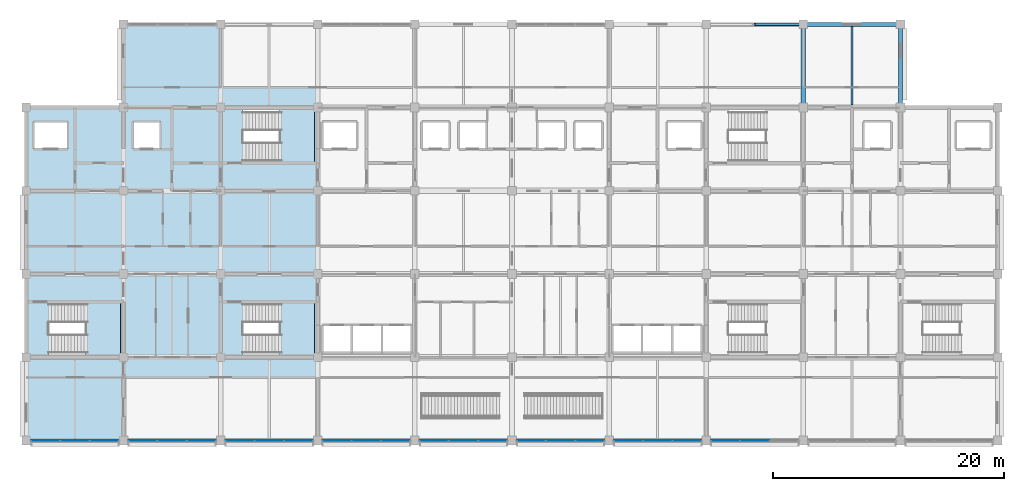
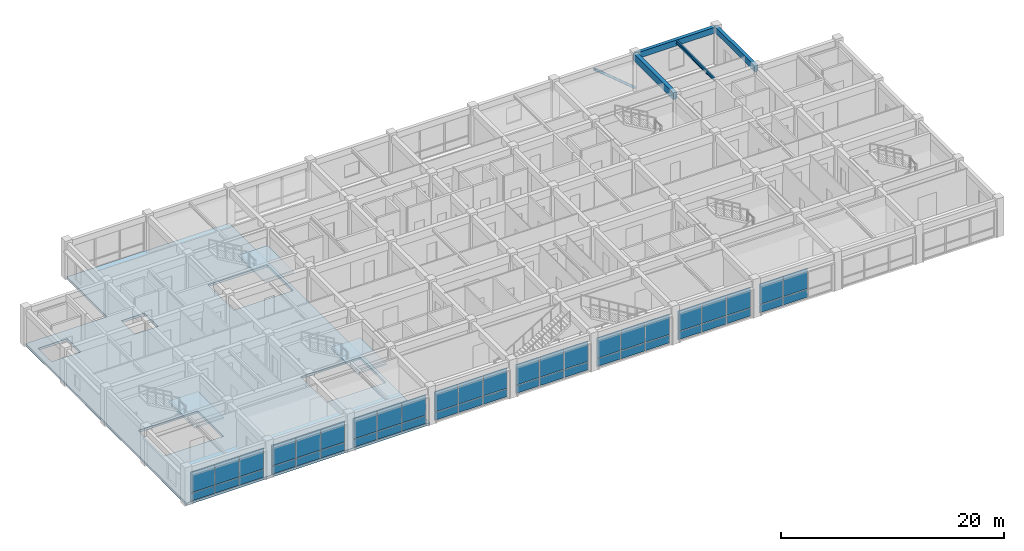
# One storey, part 10 of 27: 46 plates, 4 beams, 4 slabs, 1 member, 11 elements without a shape of their own.
"""IFC4 building model written with IfcOpenShell, lengths in metres."""

from ifc_helpers import new_model, si_unit, direction, frame, origin, origin_2d, place, context, subcontext, project, spatial, polyline, rectangle, hollow_circle, i_section, outline, extrude, material, layer, layer_set, material_profile, profile_set, type_object, element, aggregate, save


model = new_model("IFC4")

# Units and contexts
model_context = context("Model", 3, precision=1e-05, world=origin(), true_north=direction((0.0, 1.0)))
body_context = subcontext(model_context, "Body", "Model", "MODEL_VIEW")
ifc_project = project(units=[si_unit("LENGTHUNIT", "METRE"), si_unit("AREAUNIT", "SQUARE_METRE"), si_unit("VOLUMEUNIT", "CUBIC_METRE"), si_unit("PLANEANGLEUNIT", "RADIAN"), si_unit("MASSUNIT", "GRAM", prefix="KILO")], contexts=[model_context])

# Site, building, storey
site_placement = place(None, origin())
site = spatial("IfcSite", under=ifc_project, at=site_placement, CompositionType="ELEMENT")
building_placement = place(site_placement, origin())
building = spatial("IfcBuilding", under=site, at=building_placement, Name="Chengyuan Square Courthouse", CompositionType="ELEMENT")
storey_placement = place(building_placement, frame((0.0, 0.0, 39.300048828125)))
storey = spatial("IfcBuildingStorey", under=building, at=storey_placement, Name="L09", CompositionType="ELEMENT", Elevation=39.300048828125)

# Beams
ifc_material_1 = material(Name="Concrete C40", Category="concrete")
ifc_material_profile_1 = material_profile(ifc_material_1, rectangle(XDim=0.39990234375, YDim=0.75, at=origin_2d()), Name="RC-BM-400x750")
ifc_profile_set_1 = profile_set([ifc_material_profile_1], Name="Concrete C40")
beam_type_1 = type_object("IfcBeamType", Name="BM-02", PredefinedType="USERDEFINED", material=ifc_profile_set_1)
beam_1_placement = place(storey_placement, frame((109.199951171875, 108.0, 3.574951171875), z_axis=(0.0, 1.0, 0.0), x_axis=(-1.0, 0.0, 0.0)))
element("IfcBeam", 1, at=beam_1_placement, inside=storey, type_object=beam_type_1, Name="Girder BM-L09-3998", ObjectType="GIRDER", PredefinedType="USERDEFINED", context=body_context, shape_type="SweptSolid", body=[
    extrude(rectangle(XDim=0.39990234375, YDim=0.75, at=origin_2d()), origin(), (0.0, 0.0, 1.0), 7.199951171875),
])
ifc_material_profile_2 = material_profile(ifc_material_1, rectangle(XDim=0.35009765625, YDim=0.64990234375, at=origin_2d()), Name="RC-BM-350x650")
ifc_profile_set_2 = profile_set([ifc_material_profile_2], Name="Concrete C40")
beam_type_2 = type_object("IfcBeamType", Name="BM-03", PredefinedType="SPANDREL", material=ifc_profile_set_2)
beam_2_placement = place(storey_placement, frame((109.199951171875, 115.199951171875, 3.625), z_axis=(1.0, 0.0, 0.0), x_axis=(0.0, 1.0, 0.0)))
element("IfcBeam", 2, at=beam_2_placement, inside=storey, type_object=beam_type_2, Name="Girder BM-L09-3954", PredefinedType="SPANDREL", context=body_context, shape_type="SweptSolid", body=[
    extrude(rectangle(XDim=0.35009765625, YDim=0.64990234375, at=origin_2d()), origin(), (0.0, 0.0, 1.0), 8.400146484375),
])
beam_3_placement = place(storey_placement, frame((117.60009765625, 108.0, 3.625), z_axis=(0.0, 1.0, 0.0), x_axis=(-1.0, 0.0, 0.0)))
element("IfcBeam", 3, at=beam_3_placement, inside=storey, type_object=beam_type_2, Name="Girder BM-L09-4003", PredefinedType="SPANDREL", context=body_context, shape_type="SweptSolid", body=[
    extrude(rectangle(XDim=0.35009765625, YDim=0.64990234375, at=origin_2d()), origin(), (0.0, 0.0, 1.0), 7.199951171875),
])
ifc_material_2 = material(Name="Steel Q355B", Category="steel")
ifc_material_profile_3 = material_profile(ifc_material_2, i_section(OverallWidth=0.175048828125, OverallDepth=0.35009765625, WebThickness=0.007080078125, FlangeThickness=0.010986328125, at=origin_2d()), Name="HN 350x175x7x11")
ifc_profile_set_3 = profile_set([ifc_material_profile_3], Name="Steel Q355B")
beam_type_3 = type_object("IfcBeamType", Name="BM-08", PredefinedType="BEAM", material=ifc_profile_set_3)
beam_4_placement = place(storey_placement, frame((113.39990234375, 108.22509765625, 3.77490234375), z_axis=(0.0, 1.0, 0.0), x_axis=(-1.0, 0.0, 0.0)))
element("IfcBeam", 4, at=beam_4_placement, inside=storey, type_object=beam_type_3, Name="Secondary Floor Beam SBM-L09-4024", PredefinedType="BEAM", context=body_context, shape_type="SweptSolid", body=[
    extrude(i_section(OverallWidth=0.175048828125, OverallDepth=0.35009765625, WebThickness=0.007080078125, FlangeThickness=0.010986328125, at=origin_2d()), origin(), (0.0, 0.0, 1.0), 6.7998046875),
])

# Member
ifc_material_profile_4 = material_profile(ifc_material_2, hollow_circle(Radius=0.136474609375, WallThickness=0.010009765625, at=origin_2d()), Name="CHS 273x10")
ifc_profile_set_4 = profile_set([ifc_material_profile_4], Name="Steel Q355B")
member_type = type_object("IfcMemberType", Name="BR-01", PredefinedType="BRACE", material=ifc_profile_set_4)
member_placement = place(storey_placement, frame((109.199951171875, 115.199951171875, 0.099853515625), z_axis=(-0.768217619255, 0.0, 0.64018879205), x_axis=(0.0, -1.0, 0.0)))
element("IfcMember", 5, at=member_placement, inside=storey, type_object=member_type, Name="Steel Chevron Brace BR-L09-036", PredefinedType="BRACE", context=body_context, shape_type="SweptSolid", body=[
    extrude(hollow_circle(Radius=0.136474609375, WallThickness=0.010009765625, at=origin_2d()), origin(), (0.0, 0.0, 1.0), 5.467041015625),
])

# Curtain wall, plates
ifc_material_3 = material(Name="Unitised Aluminium and Triple Low-E Glass", Category="aluminium")
ifc_layer_1 = layer(ifc_material_3, 0.159912109375)
ifc_layer_set_1 = layer_set([ifc_layer_1], Name="Unitised Aluminium and Triple Low-E Glass")
curtain_wall_type = type_object("IfcCurtainWallType", Name="CW-01", PredefinedType="USERDEFINED", material=ifc_layer_set_1)
curtain_wall_1_placement = place(storey_placement, origin())
curtain_wall_1 = element("IfcCurtainWall", 6, at=curtain_wall_1_placement, inside=storey, type_object=curtain_wall_type, Name="Unitised Curtain Wall CW-L09-234", ObjectType="UNITISED CURTAIN WALL", PredefinedType="USERDEFINED")
ifc_material_4 = material(Name="Triple Low-E Insulating Glass", Category="glass")
ifc_layer_2 = layer(ifc_material_4, 0.02392578125)
ifc_layer_set_2 = layer_set([ifc_layer_2], Name="Triple Low-E Insulating Glass")
plate_type = type_object("IfcPlateType", Name="CWP-01", PredefinedType="CURTAIN_PANEL", material=ifc_layer_set_2)
plate_1_placement = place(storey_placement, frame((43.6650390625, 79.199951171875, 0.06005859375), z_axis=(0.0, 0.0, 1.0), x_axis=(1.0, 0.0, 0.0)))
plate_1 = element("IfcPlate", 7, at=plate_1_placement, type_object=plate_type, Name="CW-01 panel 1.1", PredefinedType="CURTAIN_PANEL", context=body_context, shape_type="SweptSolid", body=[
    extrude(rectangle(XDim=2.4599609375, YDim=0.02392578125, at=origin_2d()), origin(), (0.0, 0.0, 1.0), 0.860107421875),
])
plate_2_placement = place(storey_placement, frame((43.6650390625, 79.199951171875, 0.97998046875), z_axis=(0.0, 0.0, 1.0), x_axis=(1.0, 0.0, 0.0)))
plate_2 = element("IfcPlate", 8, at=plate_2_placement, type_object=plate_type, Name="CW-01 panel 1.2", PredefinedType="CURTAIN_PANEL", context=body_context, shape_type="SweptSolid", body=[
    extrude(rectangle(XDim=2.4599609375, YDim=0.02392578125, at=origin_2d()), origin(), (0.0, 0.0, 1.0), 2.260009765625),
])
plate_3_placement = place(storey_placement, frame((46.199951171875, 79.199951171875, 0.06005859375), z_axis=(0.0, 0.0, 1.0), x_axis=(1.0, 0.0, 0.0)))
plate_3 = element("IfcPlate", 9, at=plate_3_placement, type_object=plate_type, Name="CW-01 panel 2.1", PredefinedType="CURTAIN_PANEL", context=body_context, shape_type="SweptSolid", body=[
    extrude(rectangle(XDim=2.489990234375, YDim=0.02392578125, at=origin_2d()), origin(), (0.0, 0.0, 1.0), 0.860107421875),
])
plate_4_placement = place(storey_placement, frame((46.199951171875, 79.199951171875, 0.97998046875), z_axis=(0.0, 0.0, 1.0), x_axis=(1.0, 0.0, 0.0)))
plate_4 = element("IfcPlate", 10, at=plate_4_placement, type_object=plate_type, Name="CW-01 panel 2.2", PredefinedType="CURTAIN_PANEL", context=body_context, shape_type="SweptSolid", body=[
    extrude(rectangle(XDim=2.489990234375, YDim=0.02392578125, at=origin_2d()), origin(), (0.0, 0.0, 1.0), 2.260009765625),
])
plate_5_placement = place(storey_placement, frame((48.735107421875, 79.199951171875, 0.06005859375), z_axis=(0.0, 0.0, 1.0), x_axis=(1.0, 0.0, 0.0)))
plate_5 = element("IfcPlate", 11, at=plate_5_placement, type_object=plate_type, Name="CW-01 panel 3.1", PredefinedType="CURTAIN_PANEL", context=body_context, shape_type="SweptSolid", body=[
    extrude(rectangle(XDim=2.4599609375, YDim=0.02392578125, at=origin_2d()), origin(), (0.0, 0.0, 1.0), 0.860107421875),
])
plate_6_placement = place(storey_placement, frame((48.735107421875, 79.199951171875, 0.97998046875), z_axis=(0.0, 0.0, 1.0), x_axis=(1.0, 0.0, 0.0)))
plate_6 = element("IfcPlate", 12, at=plate_6_placement, type_object=plate_type, Name="CW-01 panel 3.2", PredefinedType="CURTAIN_PANEL", context=body_context, shape_type="SweptSolid", body=[
    extrude(rectangle(XDim=2.4599609375, YDim=0.02392578125, at=origin_2d()), origin(), (0.0, 0.0, 1.0), 2.260009765625),
])
aggregate(curtain_wall_1, [plate_1, plate_2, plate_3, plate_4, plate_5, plate_6])

curtain_wall_2_placement = place(storey_placement, origin())
curtain_wall_2 = element("IfcCurtainWall", 13, at=curtain_wall_2_placement, inside=storey, type_object=curtain_wall_type, Name="Unitised Curtain Wall CW-L09-235", ObjectType="UNITISED CURTAIN WALL", PredefinedType="USERDEFINED")
plate_7_placement = place(storey_placement, frame((52.06494140625, 79.199951171875, 0.06005859375), z_axis=(0.0, 0.0, 1.0), x_axis=(1.0, 0.0, 0.0)))
plate_7 = element("IfcPlate", 14, at=plate_7_placement, type_object=plate_type, Name="CW-01 panel 1.1", PredefinedType="CURTAIN_PANEL", context=body_context, shape_type="SweptSolid", body=[
    extrude(rectangle(XDim=2.4599609375, YDim=0.02392578125, at=origin_2d()), origin(), (0.0, 0.0, 1.0), 0.860107421875),
])
plate_8_placement = place(storey_placement, frame((52.06494140625, 79.199951171875, 0.97998046875), z_axis=(0.0, 0.0, 1.0), x_axis=(1.0, 0.0, 0.0)))
plate_8 = element("IfcPlate", 15, at=plate_8_placement, type_object=plate_type, Name="CW-01 panel 1.2", PredefinedType="CURTAIN_PANEL", context=body_context, shape_type="SweptSolid", body=[
    extrude(rectangle(XDim=2.4599609375, YDim=0.02392578125, at=origin_2d()), origin(), (0.0, 0.0, 1.0), 2.260009765625),
])
plate_9_placement = place(storey_placement, frame((54.60009765625, 79.199951171875, 0.06005859375), z_axis=(0.0, 0.0, 1.0), x_axis=(1.0, 0.0, 0.0)))
plate_9 = element("IfcPlate", 16, at=plate_9_placement, type_object=plate_type, Name="CW-01 panel 2.1", PredefinedType="CURTAIN_PANEL", context=body_context, shape_type="SweptSolid", body=[
    extrude(rectangle(XDim=2.489990234375, YDim=0.02392578125, at=origin_2d()), origin(), (0.0, 0.0, 1.0), 0.860107421875),
])
plate_10_placement = place(storey_placement, frame((54.60009765625, 79.199951171875, 0.97998046875), z_axis=(0.0, 0.0, 1.0), x_axis=(1.0, 0.0, 0.0)))
plate_10 = element("IfcPlate", 17, at=plate_10_placement, type_object=plate_type, Name="CW-01 panel 2.2", PredefinedType="CURTAIN_PANEL", context=body_context, shape_type="SweptSolid", body=[
    extrude(rectangle(XDim=2.489990234375, YDim=0.02392578125, at=origin_2d()), origin(), (0.0, 0.0, 1.0), 2.260009765625),
])
plate_11_placement = place(storey_placement, frame((57.135009765625, 79.199951171875, 0.06005859375), z_axis=(0.0, 0.0, 1.0), x_axis=(1.0, 0.0, 0.0)))
plate_11 = element("IfcPlate", 18, at=plate_11_placement, type_object=plate_type, Name="CW-01 panel 3.1", PredefinedType="CURTAIN_PANEL", context=body_context, shape_type="SweptSolid", body=[
    extrude(rectangle(XDim=2.4599609375, YDim=0.02392578125, at=origin_2d()), origin(), (0.0, 0.0, 1.0), 0.860107421875),
])
plate_12_placement = place(storey_placement, frame((57.135009765625, 79.199951171875, 0.97998046875), z_axis=(0.0, 0.0, 1.0), x_axis=(1.0, 0.0, 0.0)))
plate_12 = element("IfcPlate", 19, at=plate_12_placement, type_object=plate_type, Name="CW-01 panel 3.2", PredefinedType="CURTAIN_PANEL", context=body_context, shape_type="SweptSolid", body=[
    extrude(rectangle(XDim=2.4599609375, YDim=0.02392578125, at=origin_2d()), origin(), (0.0, 0.0, 1.0), 2.260009765625),
])
aggregate(curtain_wall_2, [plate_7, plate_8, plate_9, plate_10, plate_11, plate_12])

curtain_wall_3_placement = place(storey_placement, origin())
curtain_wall_3 = element("IfcCurtainWall", 20, at=curtain_wall_3_placement, inside=storey, type_object=curtain_wall_type, Name="Unitised Curtain Wall CW-L09-237", ObjectType="UNITISED CURTAIN WALL", PredefinedType="USERDEFINED")
plate_13_placement = place(storey_placement, frame((60.465087890625, 79.199951171875, 0.06005859375), z_axis=(0.0, 0.0, 1.0), x_axis=(1.0, 0.0, 0.0)))
plate_13 = element("IfcPlate", 21, at=plate_13_placement, type_object=plate_type, Name="CW-01 panel 1.1", PredefinedType="CURTAIN_PANEL", context=body_context, shape_type="SweptSolid", body=[
    extrude(rectangle(XDim=2.4599609375, YDim=0.02392578125, at=origin_2d()), origin(), (0.0, 0.0, 1.0), 0.860107421875),
])
plate_14_placement = place(storey_placement, frame((60.465087890625, 79.199951171875, 0.97998046875), z_axis=(0.0, 0.0, 1.0), x_axis=(1.0, 0.0, 0.0)))
plate_14 = element("IfcPlate", 22, at=plate_14_placement, type_object=plate_type, Name="CW-01 panel 1.2", PredefinedType="CURTAIN_PANEL", context=body_context, shape_type="SweptSolid", body=[
    extrude(rectangle(XDim=2.4599609375, YDim=0.02392578125, at=origin_2d()), origin(), (0.0, 0.0, 1.0), 2.260009765625),
])
plate_15_placement = place(storey_placement, frame((63.0, 79.199951171875, 0.06005859375), z_axis=(0.0, 0.0, 1.0), x_axis=(1.0, 0.0, 0.0)))
plate_15 = element("IfcPlate", 23, at=plate_15_placement, type_object=plate_type, Name="CW-01 panel 2.1", PredefinedType="CURTAIN_PANEL", context=body_context, shape_type="SweptSolid", body=[
    extrude(rectangle(XDim=2.489990234375, YDim=0.02392578125, at=origin_2d()), origin(), (0.0, 0.0, 1.0), 0.860107421875),
])
plate_16_placement = place(storey_placement, frame((63.0, 79.199951171875, 0.97998046875), z_axis=(0.0, 0.0, 1.0), x_axis=(1.0, 0.0, 0.0)))
plate_16 = element("IfcPlate", 24, at=plate_16_placement, type_object=plate_type, Name="CW-01 panel 2.2", PredefinedType="CURTAIN_PANEL", context=body_context, shape_type="SweptSolid", body=[
    extrude(rectangle(XDim=2.489990234375, YDim=0.02392578125, at=origin_2d()), origin(), (0.0, 0.0, 1.0), 2.260009765625),
])
plate_17_placement = place(storey_placement, frame((65.534912109375, 79.199951171875, 0.06005859375), z_axis=(0.0, 0.0, 1.0), x_axis=(1.0, 0.0, 0.0)))
plate_17 = element("IfcPlate", 25, at=plate_17_placement, type_object=plate_type, Name="CW-01 panel 3.1", PredefinedType="CURTAIN_PANEL", context=body_context, shape_type="SweptSolid", body=[
    extrude(rectangle(XDim=2.4599609375, YDim=0.02392578125, at=origin_2d()), origin(), (0.0, 0.0, 1.0), 0.860107421875),
])
plate_18_placement = place(storey_placement, frame((65.534912109375, 79.199951171875, 0.97998046875), z_axis=(0.0, 0.0, 1.0), x_axis=(1.0, 0.0, 0.0)))
plate_18 = element("IfcPlate", 26, at=plate_18_placement, type_object=plate_type, Name="CW-01 panel 3.2", PredefinedType="CURTAIN_PANEL", context=body_context, shape_type="SweptSolid", body=[
    extrude(rectangle(XDim=2.4599609375, YDim=0.02392578125, at=origin_2d()), origin(), (0.0, 0.0, 1.0), 2.260009765625),
])
aggregate(curtain_wall_3, [plate_13, plate_14, plate_15, plate_16, plate_17, plate_18])

curtain_wall_4_placement = place(storey_placement, origin())
curtain_wall_4 = element("IfcCurtainWall", 27, at=curtain_wall_4_placement, inside=storey, type_object=curtain_wall_type, Name="Unitised Curtain Wall CW-L09-238", ObjectType="UNITISED CURTAIN WALL", PredefinedType="USERDEFINED")
plate_19_placement = place(storey_placement, frame((68.864990234375, 79.199951171875, 0.06005859375), z_axis=(0.0, 0.0, 1.0), x_axis=(1.0, 0.0, 0.0)))
plate_19 = element("IfcPlate", 28, at=plate_19_placement, type_object=plate_type, Name="CW-01 panel 1.1", PredefinedType="CURTAIN_PANEL", context=body_context, shape_type="SweptSolid", body=[
    extrude(rectangle(XDim=2.4599609375, YDim=0.02392578125, at=origin_2d()), origin(), (0.0, 0.0, 1.0), 0.860107421875),
])
plate_20_placement = place(storey_placement, frame((68.864990234375, 79.199951171875, 0.97998046875), z_axis=(0.0, 0.0, 1.0), x_axis=(1.0, 0.0, 0.0)))
plate_20 = element("IfcPlate", 29, at=plate_20_placement, type_object=plate_type, Name="CW-01 panel 1.2", PredefinedType="CURTAIN_PANEL", context=body_context, shape_type="SweptSolid", body=[
    extrude(rectangle(XDim=2.4599609375, YDim=0.02392578125, at=origin_2d()), origin(), (0.0, 0.0, 1.0), 2.260009765625),
])
plate_21_placement = place(storey_placement, frame((71.39990234375, 79.199951171875, 0.06005859375), z_axis=(0.0, 0.0, 1.0), x_axis=(1.0, 0.0, 0.0)))
plate_21 = element("IfcPlate", 30, at=plate_21_placement, type_object=plate_type, Name="CW-01 panel 2.1", PredefinedType="CURTAIN_PANEL", context=body_context, shape_type="SweptSolid", body=[
    extrude(rectangle(XDim=2.489990234375, YDim=0.02392578125, at=origin_2d()), origin(), (0.0, 0.0, 1.0), 0.860107421875),
])
plate_22_placement = place(storey_placement, frame((71.39990234375, 79.199951171875, 0.97998046875), z_axis=(0.0, 0.0, 1.0), x_axis=(1.0, 0.0, 0.0)))
plate_22 = element("IfcPlate", 31, at=plate_22_placement, type_object=plate_type, Name="CW-01 panel 2.2", PredefinedType="CURTAIN_PANEL", context=body_context, shape_type="SweptSolid", body=[
    extrude(rectangle(XDim=2.489990234375, YDim=0.02392578125, at=origin_2d()), origin(), (0.0, 0.0, 1.0), 2.260009765625),
])
plate_23_placement = place(storey_placement, frame((73.93505859375, 79.199951171875, 0.06005859375), z_axis=(0.0, 0.0, 1.0), x_axis=(1.0, 0.0, 0.0)))
plate_23 = element("IfcPlate", 32, at=plate_23_placement, type_object=plate_type, Name="CW-01 panel 3.1", PredefinedType="CURTAIN_PANEL", context=body_context, shape_type="SweptSolid", body=[
    extrude(rectangle(XDim=2.4599609375, YDim=0.02392578125, at=origin_2d()), origin(), (0.0, 0.0, 1.0), 0.860107421875),
])
plate_24_placement = place(storey_placement, frame((73.93505859375, 79.199951171875, 0.97998046875), z_axis=(0.0, 0.0, 1.0), x_axis=(1.0, 0.0, 0.0)))
plate_24 = element("IfcPlate", 33, at=plate_24_placement, type_object=plate_type, Name="CW-01 panel 3.2", PredefinedType="CURTAIN_PANEL", context=body_context, shape_type="SweptSolid", body=[
    extrude(rectangle(XDim=2.4599609375, YDim=0.02392578125, at=origin_2d()), origin(), (0.0, 0.0, 1.0), 2.260009765625),
])
aggregate(curtain_wall_4, [plate_19, plate_20, plate_21, plate_22, plate_23, plate_24])

curtain_wall_5_placement = place(storey_placement, origin())
curtain_wall_5 = element("IfcCurtainWall", 34, at=curtain_wall_5_placement, inside=storey, type_object=curtain_wall_type, Name="Unitised Curtain Wall CW-L09-240", ObjectType="UNITISED CURTAIN WALL", PredefinedType="USERDEFINED")
plate_25_placement = place(storey_placement, frame((77.264892578125, 79.199951171875, 0.06005859375), z_axis=(0.0, 0.0, 1.0), x_axis=(1.0, 0.0, 0.0)))
plate_25 = element("IfcPlate", 35, at=plate_25_placement, type_object=plate_type, Name="CW-01 panel 1.1", PredefinedType="CURTAIN_PANEL", context=body_context, shape_type="SweptSolid", body=[
    extrude(rectangle(XDim=2.4599609375, YDim=0.02392578125, at=origin_2d()), origin(), (0.0, 0.0, 1.0), 0.860107421875),
])
plate_26_placement = place(storey_placement, frame((77.264892578125, 79.199951171875, 0.97998046875), z_axis=(0.0, 0.0, 1.0), x_axis=(1.0, 0.0, 0.0)))
plate_26 = element("IfcPlate", 36, at=plate_26_placement, type_object=plate_type, Name="CW-01 panel 1.2", PredefinedType="CURTAIN_PANEL", context=body_context, shape_type="SweptSolid", body=[
    extrude(rectangle(XDim=2.4599609375, YDim=0.02392578125, at=origin_2d()), origin(), (0.0, 0.0, 1.0), 2.260009765625),
])
plate_27_placement = place(storey_placement, frame((79.800048828125, 79.199951171875, 0.06005859375), z_axis=(0.0, 0.0, 1.0), x_axis=(1.0, 0.0, 0.0)))
plate_27 = element("IfcPlate", 37, at=plate_27_placement, type_object=plate_type, Name="CW-01 panel 2.1", PredefinedType="CURTAIN_PANEL", context=body_context, shape_type="SweptSolid", body=[
    extrude(rectangle(XDim=2.489990234375, YDim=0.02392578125, at=origin_2d()), origin(), (0.0, 0.0, 1.0), 0.860107421875),
])
plate_28_placement = place(storey_placement, frame((79.800048828125, 79.199951171875, 0.97998046875), z_axis=(0.0, 0.0, 1.0), x_axis=(1.0, 0.0, 0.0)))
plate_28 = element("IfcPlate", 38, at=plate_28_placement, type_object=plate_type, Name="CW-01 panel 2.2", PredefinedType="CURTAIN_PANEL", context=body_context, shape_type="SweptSolid", body=[
    extrude(rectangle(XDim=2.489990234375, YDim=0.02392578125, at=origin_2d()), origin(), (0.0, 0.0, 1.0), 2.260009765625),
])
plate_29_placement = place(storey_placement, frame((82.3349609375, 79.199951171875, 0.06005859375), z_axis=(0.0, 0.0, 1.0), x_axis=(1.0, 0.0, 0.0)))
plate_29 = element("IfcPlate", 39, at=plate_29_placement, type_object=plate_type, Name="CW-01 panel 3.1", PredefinedType="CURTAIN_PANEL", context=body_context, shape_type="SweptSolid", body=[
    extrude(rectangle(XDim=2.4599609375, YDim=0.02392578125, at=origin_2d()), origin(), (0.0, 0.0, 1.0), 0.860107421875),
])
plate_30_placement = place(storey_placement, frame((82.3349609375, 79.199951171875, 0.97998046875), z_axis=(0.0, 0.0, 1.0), x_axis=(1.0, 0.0, 0.0)))
plate_30 = element("IfcPlate", 40, at=plate_30_placement, type_object=plate_type, Name="CW-01 panel 3.2", PredefinedType="CURTAIN_PANEL", context=body_context, shape_type="SweptSolid", body=[
    extrude(rectangle(XDim=2.4599609375, YDim=0.02392578125, at=origin_2d()), origin(), (0.0, 0.0, 1.0), 2.260009765625),
])
aggregate(curtain_wall_5, [plate_25, plate_26, plate_27, plate_28, plate_29, plate_30])

curtain_wall_6_placement = place(storey_placement, origin())
curtain_wall_6 = element("IfcCurtainWall", 41, at=curtain_wall_6_placement, inside=storey, type_object=curtain_wall_type, Name="Unitised Curtain Wall CW-L09-241", ObjectType="UNITISED CURTAIN WALL", PredefinedType="USERDEFINED")
plate_31_placement = place(storey_placement, frame((85.6650390625, 79.199951171875, 0.06005859375), z_axis=(0.0, 0.0, 1.0), x_axis=(1.0, 0.0, 0.0)))
plate_31 = element("IfcPlate", 42, at=plate_31_placement, type_object=plate_type, Name="CW-01 panel 1.1", PredefinedType="CURTAIN_PANEL", context=body_context, shape_type="SweptSolid", body=[
    extrude(rectangle(XDim=2.4599609375, YDim=0.02392578125, at=origin_2d()), origin(), (0.0, 0.0, 1.0), 0.860107421875),
])
plate_32_placement = place(storey_placement, frame((85.6650390625, 79.199951171875, 0.97998046875), z_axis=(0.0, 0.0, 1.0), x_axis=(1.0, 0.0, 0.0)))
plate_32 = element("IfcPlate", 43, at=plate_32_placement, type_object=plate_type, Name="CW-01 panel 1.2", PredefinedType="CURTAIN_PANEL", context=body_context, shape_type="SweptSolid", body=[
    extrude(rectangle(XDim=2.4599609375, YDim=0.02392578125, at=origin_2d()), origin(), (0.0, 0.0, 1.0), 2.260009765625),
])
plate_33_placement = place(storey_placement, frame((88.199951171875, 79.199951171875, 0.06005859375), z_axis=(0.0, 0.0, 1.0), x_axis=(1.0, 0.0, 0.0)))
plate_33 = element("IfcPlate", 44, at=plate_33_placement, type_object=plate_type, Name="CW-01 panel 2.1", PredefinedType="CURTAIN_PANEL", context=body_context, shape_type="SweptSolid", body=[
    extrude(rectangle(XDim=2.489990234375, YDim=0.02392578125, at=origin_2d()), origin(), (0.0, 0.0, 1.0), 0.860107421875),
])
plate_34_placement = place(storey_placement, frame((88.199951171875, 79.199951171875, 0.97998046875), z_axis=(0.0, 0.0, 1.0), x_axis=(1.0, 0.0, 0.0)))
plate_34 = element("IfcPlate", 45, at=plate_34_placement, type_object=plate_type, Name="CW-01 panel 2.2", PredefinedType="CURTAIN_PANEL", context=body_context, shape_type="SweptSolid", body=[
    extrude(rectangle(XDim=2.489990234375, YDim=0.02392578125, at=origin_2d()), origin(), (0.0, 0.0, 1.0), 2.260009765625),
])
plate_35_placement = place(storey_placement, frame((90.735107421875, 79.199951171875, 0.06005859375), z_axis=(0.0, 0.0, 1.0), x_axis=(1.0, 0.0, 0.0)))
plate_35 = element("IfcPlate", 46, at=plate_35_placement, type_object=plate_type, Name="CW-01 panel 3.1", PredefinedType="CURTAIN_PANEL", context=body_context, shape_type="SweptSolid", body=[
    extrude(rectangle(XDim=2.4599609375, YDim=0.02392578125, at=origin_2d()), origin(), (0.0, 0.0, 1.0), 0.860107421875),
])
plate_36_placement = place(storey_placement, frame((90.735107421875, 79.199951171875, 0.97998046875), z_axis=(0.0, 0.0, 1.0), x_axis=(1.0, 0.0, 0.0)))
plate_36 = element("IfcPlate", 47, at=plate_36_placement, type_object=plate_type, Name="CW-01 panel 3.2", PredefinedType="CURTAIN_PANEL", context=body_context, shape_type="SweptSolid", body=[
    extrude(rectangle(XDim=2.4599609375, YDim=0.02392578125, at=origin_2d()), origin(), (0.0, 0.0, 1.0), 2.260009765625),
])
aggregate(curtain_wall_6, [plate_31, plate_32, plate_33, plate_34, plate_35, plate_36])

curtain_wall_7_placement = place(storey_placement, origin())
curtain_wall_7 = element("IfcCurtainWall", 48, at=curtain_wall_7_placement, inside=storey, type_object=curtain_wall_type, Name="Unitised Curtain Wall CW-L09-243", ObjectType="UNITISED CURTAIN WALL", PredefinedType="USERDEFINED")
plate_37_placement = place(storey_placement, frame((94.06494140625, 79.199951171875, 0.06005859375), z_axis=(0.0, 0.0, 1.0), x_axis=(1.0, 0.0, 0.0)))
plate_37 = element("IfcPlate", 49, at=plate_37_placement, type_object=plate_type, Name="CW-01 panel 1.1", PredefinedType="CURTAIN_PANEL", context=body_context, shape_type="SweptSolid", body=[
    extrude(rectangle(XDim=2.4599609375, YDim=0.02392578125, at=origin_2d()), origin(), (0.0, 0.0, 1.0), 0.860107421875),
])
plate_38_placement = place(storey_placement, frame((94.06494140625, 79.199951171875, 0.97998046875), z_axis=(0.0, 0.0, 1.0), x_axis=(1.0, 0.0, 0.0)))
plate_38 = element("IfcPlate", 50, at=plate_38_placement, type_object=plate_type, Name="CW-01 panel 1.2", PredefinedType="CURTAIN_PANEL", context=body_context, shape_type="SweptSolid", body=[
    extrude(rectangle(XDim=2.4599609375, YDim=0.02392578125, at=origin_2d()), origin(), (0.0, 0.0, 1.0), 2.260009765625),
])
plate_39_placement = place(storey_placement, frame((96.60009765625, 79.199951171875, 0.06005859375), z_axis=(0.0, 0.0, 1.0), x_axis=(1.0, 0.0, 0.0)))
plate_39 = element("IfcPlate", 51, at=plate_39_placement, type_object=plate_type, Name="CW-01 panel 2.1", PredefinedType="CURTAIN_PANEL", context=body_context, shape_type="SweptSolid", body=[
    extrude(rectangle(XDim=2.489990234375, YDim=0.02392578125, at=origin_2d()), origin(), (0.0, 0.0, 1.0), 0.860107421875),
])
plate_40_placement = place(storey_placement, frame((96.60009765625, 79.199951171875, 0.97998046875), z_axis=(0.0, 0.0, 1.0), x_axis=(1.0, 0.0, 0.0)))
plate_40 = element("IfcPlate", 52, at=plate_40_placement, type_object=plate_type, Name="CW-01 panel 2.2", PredefinedType="CURTAIN_PANEL", context=body_context, shape_type="SweptSolid", body=[
    extrude(rectangle(XDim=2.489990234375, YDim=0.02392578125, at=origin_2d()), origin(), (0.0, 0.0, 1.0), 2.260009765625),
])
plate_41_placement = place(storey_placement, frame((99.135009765625, 79.199951171875, 0.06005859375), z_axis=(0.0, 0.0, 1.0), x_axis=(1.0, 0.0, 0.0)))
plate_41 = element("IfcPlate", 53, at=plate_41_placement, type_object=plate_type, Name="CW-01 panel 3.1", PredefinedType="CURTAIN_PANEL", context=body_context, shape_type="SweptSolid", body=[
    extrude(rectangle(XDim=2.4599609375, YDim=0.02392578125, at=origin_2d()), origin(), (0.0, 0.0, 1.0), 0.860107421875),
])
plate_42_placement = place(storey_placement, frame((99.135009765625, 79.199951171875, 0.97998046875), z_axis=(0.0, 0.0, 1.0), x_axis=(1.0, 0.0, 0.0)))
plate_42 = element("IfcPlate", 54, at=plate_42_placement, type_object=plate_type, Name="CW-01 panel 3.2", PredefinedType="CURTAIN_PANEL", context=body_context, shape_type="SweptSolid", body=[
    extrude(rectangle(XDim=2.4599609375, YDim=0.02392578125, at=origin_2d()), origin(), (0.0, 0.0, 1.0), 2.260009765625),
])
aggregate(curtain_wall_7, [plate_37, plate_38, plate_39, plate_40, plate_41, plate_42])

curtain_wall_8_placement = place(storey_placement, origin())
curtain_wall_8 = element("IfcCurtainWall", 55, at=curtain_wall_8_placement, inside=storey, type_object=curtain_wall_type, Name="Unitised Curtain Wall CW-L09-244", ObjectType="UNITISED CURTAIN WALL", PredefinedType="USERDEFINED")
plate_43_placement = place(storey_placement, frame((102.465087890625, 79.199951171875, 0.06005859375), z_axis=(0.0, 0.0, 1.0), x_axis=(1.0, 0.0, 0.0)))
plate_43 = element("IfcPlate", 56, at=plate_43_placement, type_object=plate_type, Name="CW-01 panel 1.1", PredefinedType="CURTAIN_PANEL", context=body_context, shape_type="SweptSolid", body=[
    extrude(rectangle(XDim=2.4599609375, YDim=0.02392578125, at=origin_2d()), origin(), (0.0, 0.0, 1.0), 0.860107421875),
])
plate_44_placement = place(storey_placement, frame((102.465087890625, 79.199951171875, 0.97998046875), z_axis=(0.0, 0.0, 1.0), x_axis=(1.0, 0.0, 0.0)))
plate_44 = element("IfcPlate", 57, at=plate_44_placement, type_object=plate_type, Name="CW-01 panel 1.2", PredefinedType="CURTAIN_PANEL", context=body_context, shape_type="SweptSolid", body=[
    extrude(rectangle(XDim=2.4599609375, YDim=0.02392578125, at=origin_2d()), origin(), (0.0, 0.0, 1.0), 2.260009765625),
])
plate_45_placement = place(storey_placement, frame((105.0, 79.199951171875, 0.06005859375), z_axis=(0.0, 0.0, 1.0), x_axis=(1.0, 0.0, 0.0)))
plate_45 = element("IfcPlate", 58, at=plate_45_placement, type_object=plate_type, Name="CW-01 panel 2.1", PredefinedType="CURTAIN_PANEL", context=body_context, shape_type="SweptSolid", body=[
    extrude(rectangle(XDim=2.489990234375, YDim=0.02392578125, at=origin_2d()), origin(), (0.0, 0.0, 1.0), 0.860107421875),
])
plate_46_placement = place(storey_placement, frame((105.0, 79.199951171875, 0.97998046875), z_axis=(0.0, 0.0, 1.0), x_axis=(1.0, 0.0, 0.0)))
plate_46 = element("IfcPlate", 59, at=plate_46_placement, type_object=plate_type, Name="CW-01 panel 2.2", PredefinedType="CURTAIN_PANEL", context=body_context, shape_type="SweptSolid", body=[
    extrude(rectangle(XDim=2.489990234375, YDim=0.02392578125, at=origin_2d()), origin(), (0.0, 0.0, 1.0), 2.260009765625),
])
aggregate(curtain_wall_8, [plate_43, plate_44, plate_45, plate_46])

# Stair, slab
stair_type_1 = type_object("IfcStairType", Name="ST-TYPE-01", PredefinedType="HALF_TURN_STAIR", material=ifc_material_1)
stair_1_placement = place(storey_placement, origin())
stair_1 = element("IfcStair", 60, at=stair_1_placement, inside=storey, type_object=stair_type_1, Name="Smoke-Proof Exit Stair ST-1 (L09 to L10)", PredefinedType="HALF_TURN_STAIR")
ifc_layer_3 = layer(ifc_material_1, 0.179931640625)
ifc_layer_set_3 = layer_set([ifc_layer_3], Name="Concrete C40")
slab_type_1 = type_object("IfcSlabType", Name="SL-LND2", PredefinedType="LANDING", material=ifc_layer_set_3)
slab_1_placement = place(storey_placement, frame((0.0, 0.0, 1.919921875)))
slab_1 = element("IfcSlab", 61, at=slab_1_placement, type_object=slab_type_1, Name="ST-1 landing 1", PredefinedType="LANDING", context=body_context, shape_type="SweptSolid", body=[
    extrude(outline(polyline([(63.889892578125, 103.159912109375), (66.93994140625, 103.159912109375), (66.93994140625, 107.840087890625), (63.889892578125, 107.840087890625), (63.889892578125, 103.159912109375)])), origin(), (0.0, 0.0, 1.0), 0.179931640625),
])
aggregate(stair_1, [slab_1])

stair_type_2 = type_object("IfcStairType", Name="ST-TYPE-03", PredefinedType="HALF_TURN_STAIR", material=ifc_material_1)
stair_2_placement = place(storey_placement, origin())
stair_2 = element("IfcStair", 62, at=stair_2_placement, inside=storey, type_object=stair_type_2, Name="Smoke-Proof Exit Stair ST-3 (L09 to L10)", PredefinedType="HALF_TURN_STAIR")
slab_2_placement = place(storey_placement, frame((0.0, 0.0, 1.919921875)))
slab_2 = element("IfcSlab", 63, at=slab_2_placement, type_object=slab_type_1, Name="ST-3 landing 1", PredefinedType="LANDING", context=body_context, shape_type="SweptSolid", body=[
    extrude(outline(polyline([(63.889892578125, 86.56005859375), (66.93994140625, 86.56005859375), (66.93994140625, 91.239990234375), (63.889892578125, 91.239990234375), (63.889892578125, 86.56005859375)])), origin(), (0.0, 0.0, 1.0), 0.179931640625),
])
aggregate(stair_2, [slab_2])

stair_type_3 = type_object("IfcStairType", Name="ST-TYPE-05", PredefinedType="HALF_TURN_STAIR", material=ifc_material_1)
stair_3_placement = place(storey_placement, origin())
stair_3 = element("IfcStair", 64, at=stair_3_placement, inside=storey, type_object=stair_type_3, Name="Smoke-Proof Exit Stair ST-5 (L09 to L10)", PredefinedType="HALF_TURN_STAIR")
slab_3_placement = place(storey_placement, frame((0.0, 0.0, 1.919921875)))
slab_3 = element("IfcSlab", 65, at=slab_3_placement, type_object=slab_type_1, Name="ST-5 landing 1", PredefinedType="LANDING", context=body_context, shape_type="SweptSolid", body=[
    extrude(outline(polyline([(47.090087890625, 86.56005859375), (50.139892578125, 86.56005859375), (50.139892578125, 91.239990234375), (47.090087890625, 91.239990234375), (47.090087890625, 86.56005859375)])), origin(), (0.0, 0.0, 1.0), 0.179931640625),
])
aggregate(stair_3, [slab_3])

# Slab
ifc_layer_4 = layer(ifc_material_1, 0.25)
ifc_layer_set_4 = layer_set([ifc_layer_4], Name="Concrete C40")
slab_type_2 = type_object("IfcSlabType", Name="SL-RC25", PredefinedType="FLOOR", material=ifc_layer_set_4)
slab_4_placement = place(storey_placement, frame((0.0, 0.0, -0.25)))
element("IfcSlab", 66, at=slab_4_placement, inside=storey, type_object=slab_type_2, Name="Suspended Floor Slab SL-L09-01", PredefinedType="FLOOR", context=body_context, shape_type="SweptSolid", body=[
    extrude(outline(polyline([(50.39990234375, 115.199951171875), (58.800048828125, 115.199951171875), (67.199951171875, 115.199951171875), (67.199951171875, 79.199951171875), (58.800048828125, 79.199951171875), (50.39990234375, 79.199951171875), (42.0, 79.199951171875), (42.0, 86.39990234375), (42.0, 93.60009765625), (42.0, 100.800048828125), (42.0, 108.0), (50.39990234375, 108.0), (50.39990234375, 115.199951171875)]), holes=[polyline([(50.10009765625, 91.199951171875), (43.949951171875, 91.199951171875), (43.949951171875, 86.60009765625), (50.10009765625, 86.60009765625), (50.10009765625, 91.199951171875)]), polyline([(66.89990234375, 91.199951171875), (60.75, 91.199951171875), (60.75, 86.60009765625), (66.89990234375, 86.60009765625), (66.89990234375, 91.199951171875)]), polyline([(60.75, 107.800048828125), (60.75, 103.199951171875), (66.89990234375, 103.199951171875), (66.89990234375, 107.800048828125), (60.75, 107.800048828125)]), polyline([(45.60009765625, 106.800048828125), (42.60009765625, 106.800048828125), (42.60009765625, 104.39990234375), (45.60009765625, 104.39990234375), (45.60009765625, 106.800048828125)]), polyline([(53.60009765625, 106.800048828125), (51.199951171875, 106.800048828125), (51.199951171875, 104.39990234375), (53.60009765625, 104.39990234375), (53.60009765625, 106.800048828125)])]), origin(), (0.0, 0.0, 1.0), 0.25),
])

save(model, "model.ifc")
